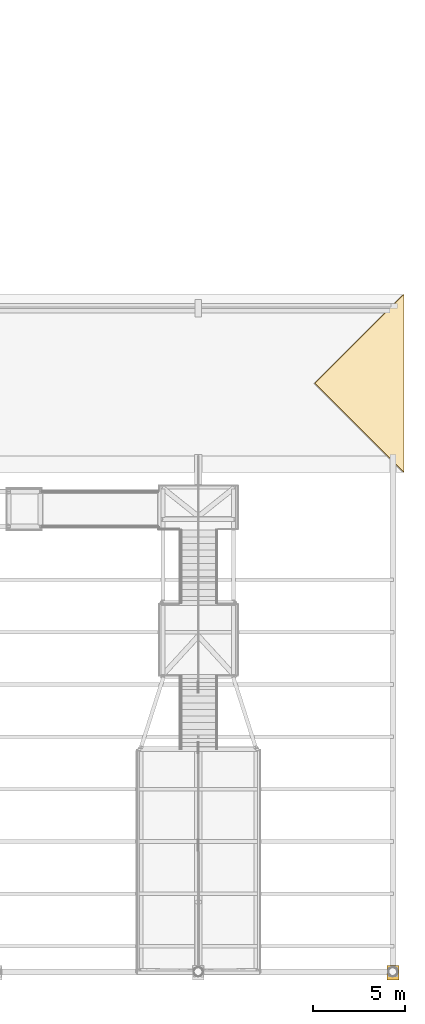
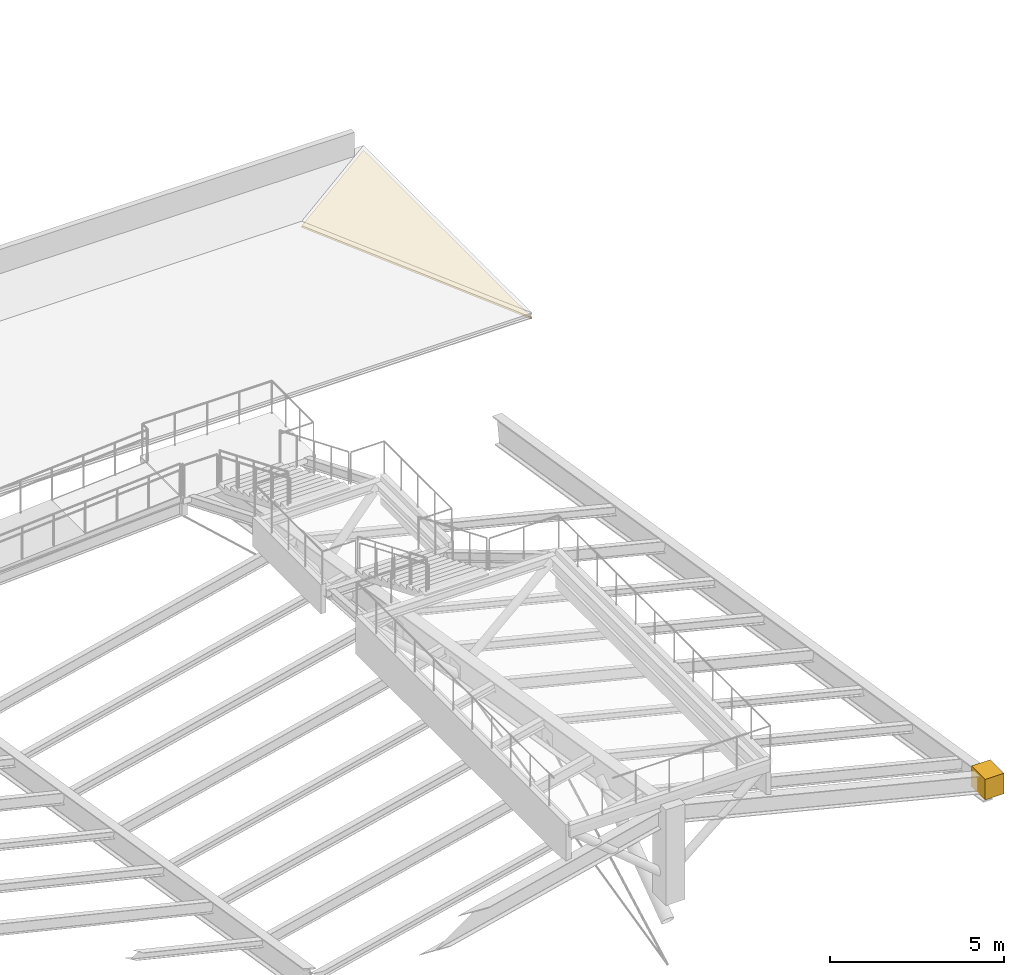
# One storey, part 43 of 43: 2 coverings.
"""IFC4 building model written with IfcOpenShell, lengths in metres."""

from ifc_helpers import new_model, si_unit, direction, frame, origin, origin_2d, place, context, subcontext, project, spatial, polyline, rectangle, outline, extrude, material, layer, layer_set, type_object, element, save


model = new_model("IFC4")

# Units and contexts
model_context = context("Model", 3, precision=1e-05, world=origin(), true_north=direction((0.0, 1.0)))
body_context = subcontext(model_context, "Body", "Model", "MODEL_VIEW")
ifc_project = project(units=[si_unit("LENGTHUNIT", "METRE"), si_unit("AREAUNIT", "SQUARE_METRE"), si_unit("VOLUMEUNIT", "CUBIC_METRE"), si_unit("PLANEANGLEUNIT", "RADIAN"), si_unit("MASSUNIT", "GRAM", prefix="KILO")], contexts=[model_context])

# Site, building, storey
site_placement = place(None, origin())
site = spatial("IfcSite", under=ifc_project, at=site_placement, CompositionType="ELEMENT")
building_placement = place(site_placement, origin())
building = spatial("IfcBuilding", under=site, at=building_placement, Name="Caurita Quay Ferry Terminal", CompositionType="ELEMENT")
storey_placement = place(building_placement, frame((0.0, 0.0, 14.10009765625)))
storey = spatial("IfcBuildingStorey", under=building, at=storey_placement, Name="L03", CompositionType="ELEMENT", Elevation=14.10009765625)

# Coverings
ifc_material_1 = material(Name="Warm-white lime stucco masonry", Category="masonry")
ifc_layer_1 = layer(ifc_material_1, 0.179931640625, Name="Classical engaged lime-stucco facade pilaster cladding 180 mm")
ifc_layer_set_1 = layer_set([ifc_layer_1], Name="Warm-white lime stucco masonry")
covering_type_1 = type_object("IfcCoveringType", Name="COV-PIL-CLD", PredefinedType="CLADDING", material=ifc_layer_set_1)
covering_1_placement = place(storey_placement, frame((131.800048828125, 34.550048828125, 0.0), z_axis=(0.0, 0.0, 1.0), x_axis=(1.0, 0.0, 0.0)))
element("IfcCovering", 1, at=covering_1_placement, inside=storey, type_object=covering_type_1, Name="L03 Classical Engaged Pilaster 0113", PredefinedType="CLADDING", context=body_context, shape_type="SweptSolid", body=[
    extrude(rectangle(XDim=0.6279296875, YDim=0.7880859375, at=origin_2d()), origin(), (0.0, 0.0, 1.0), 0.719970703125),
])
ifc_material_2 = material(Name="Terracotta clay barrel tile", Category="masonry")
ifc_layer_2 = layer(ifc_material_2, 0.06494140625, Name="Terracotta clay barrel-tile roofing course")
ifc_layer_set_2 = layer_set([ifc_layer_2], Name="Terracotta clay barrel tile")
covering_type_2 = type_object("IfcCoveringType", Name="COV-TEJA-ROOF", PredefinedType="ROOFING", material=ifc_layer_set_2)
covering_2_placement = place(storey_placement, frame((132.39990234375, 61.800048828125, -0.14013671875), z_axis=(0.377970373651, 0.0, 0.925817690824), x_axis=(0.0, 1.0, 0.0)))
element("IfcCovering", 2, at=covering_2_placement, inside=storey, type_object=covering_type_2, Name="Terracotta Roof Timber Decking V2-SPN-E", PredefinedType="ROOFING", context=body_context, shape_type="SweptSolid", body=[
    extrude(outline(polyline([(0.0, 0.0), (9.699951171875, 0.0), (4.849853515625, 5.238454140264249), (0.0, 0.0)])), origin(), (0.0, 0.0, -1.0), 0.054931640625),
])

save(model, "model.ifc")
